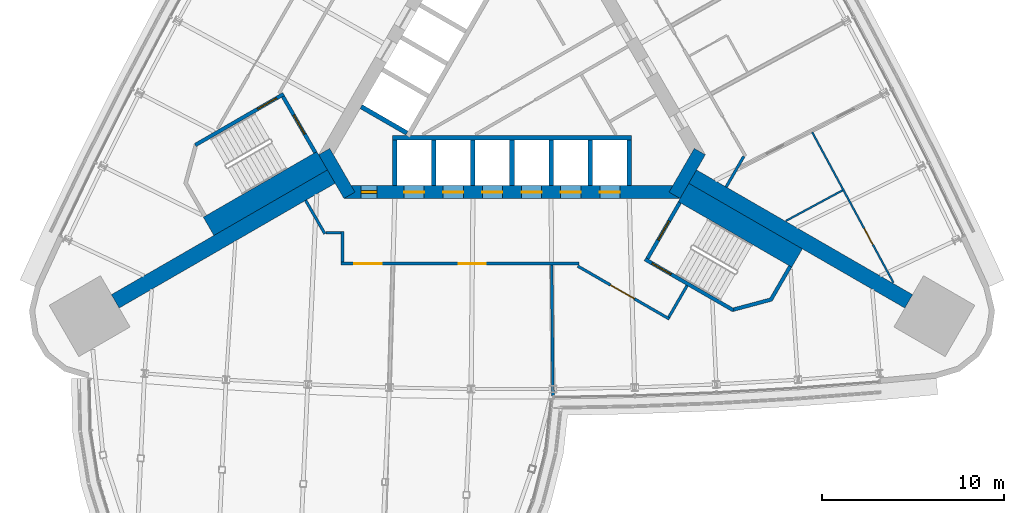
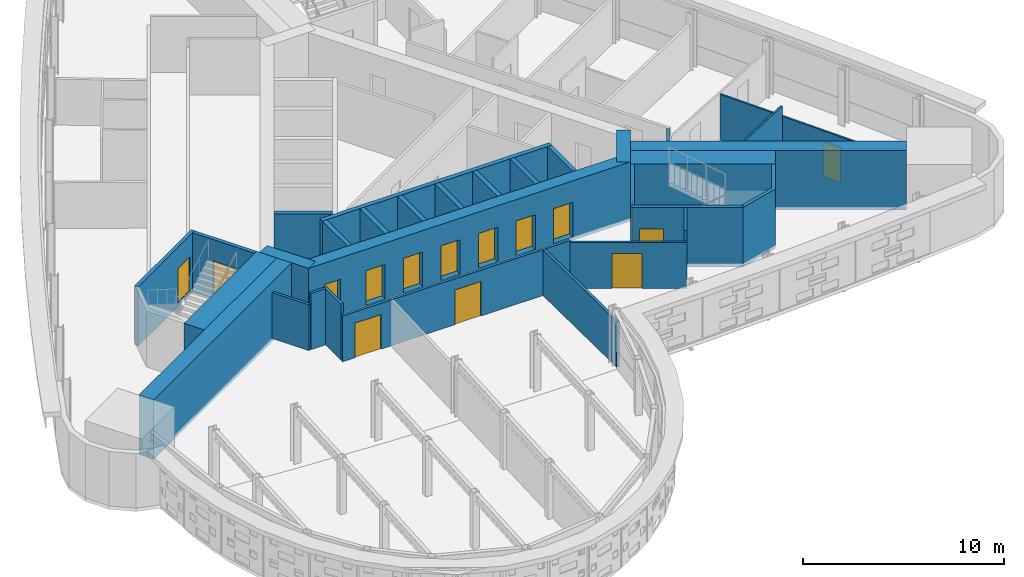
# One storey, part 10 of 16: 31 walls, 15 doors, 15 openings.
"""IFC4 building model written with IfcOpenShell, lengths in metres."""

from ifc_helpers import new_model, si_unit, direction, frame, frame_2d, origin, place, context, subcontext, project, spatial, polyline, rectangle, outline, extrude, material, layer, layer_set, type_object, element, fill, save


model = new_model("IFC4")

# Units and contexts
model_context = context("Model", 3, precision=1e-05, world=origin(), true_north=direction((0.0, 1.0)))
body_context = subcontext(model_context, "Body", "Model", "MODEL_VIEW")
ifc_project = project(units=[si_unit("LENGTHUNIT", "METRE"), si_unit("AREAUNIT", "SQUARE_METRE"), si_unit("VOLUMEUNIT", "CUBIC_METRE"), si_unit("PLANEANGLEUNIT", "RADIAN"), si_unit("MASSUNIT", "GRAM", prefix="KILO")], contexts=[model_context])

# Site, building, storey
site_placement = place(None, origin())
site = spatial("IfcSite", under=ifc_project, at=site_placement, CompositionType="ELEMENT")
building_placement = place(site_placement, origin())
building = spatial("IfcBuilding", under=site, at=building_placement, Name="Noor Cloister Tower", CompositionType="ELEMENT")
storey_placement = place(building_placement, frame((0.0, 0.0, 65.39990234375)))
storey = spatial("IfcBuildingStorey", under=building, at=storey_placement, Name="L16", CompositionType="ELEMENT", Elevation=65.39990234375)

# Walls
ifc_material_1 = material(Name="Concrete C80/95", Category="concrete")
ifc_layer_1 = layer(ifc_material_1, 0.85009765625)
ifc_layer_set_1 = layer_set([ifc_layer_1], Name="Buttress wall 850 C80/95")
wall_type_1 = type_object("IfcWallType", Name="Buttress wall 850 C80/95", PredefinedType="SHEAR", material=ifc_layer_set_1)
for number, where, z_axis, x_axis, name in (
    (1, (-9.921630859375, -5.728271484375, -0.199951171875), (0.0, 0.0, 1.0), (-0.866030067197, -0.499991922645, 0.0), "Buttress wall SW L16"),
    (2, (9.921630859375, -5.728271484375, -0.199951171875), (0.0, 0.0, 1.0), (0.866030067197, -0.499991922645, 0.0), "Buttress wall SE L16"),
):
    element("IfcWall", number, at=place(storey_placement, frame(where, z_axis=z_axis, x_axis=x_axis)), inside=storey, type_object=wall_type_1, Name=name, PredefinedType="SHEAR", context=body_context, shape_type="SweptSolid", body=[
        extrude(rectangle(XDim=13.698486328125, YDim=0.85009765625, at=frame_2d((6.84912109375, 0.0))), origin(), (0.0, 0.0, 1.0), 3.60009765625),
    ])

# Wall, openings, doors
ifc_material_2 = material(Name="Concrete C80/95", Category="concrete")
ifc_layer_2 = layer(ifc_material_2, 0.699951171875)
ifc_layer_set_2 = layer_set([ifc_layer_2], Name="Core wall 700 C80/95")
wall_type_2 = type_object("IfcWallType", Name="Core wall 700 C80/95", PredefinedType="SHEAR", material=ifc_layer_set_2)
wall_1_placement = place(storey_placement, frame((-9.228759765625, -6.578125, -0.199951171875), z_axis=(0.0, 0.0, 1.0), x_axis=(1.0, 0.0, 0.0)))
wall_1 = element("IfcWall", 3, at=wall_1_placement, inside=storey, type_object=wall_type_2, Name="Core wall L16 1", PredefinedType="SHEAR", context=body_context, shape_type="SweptSolid", body=[
    extrude(rectangle(XDim=18.45751953125, YDim=0.699951171875, at=frame_2d((9.228759765625, 0.0))), origin(), (0.0, 0.0, 1.0), 3.60009765625),
])
opening_1_placement = place(wall_1_placement, frame((3.3037109375, 0.0, 0.199951171875)))
opening_1 = element("IfcOpeningElement", 4, at=opening_1_placement, cuts=wall_1, Name="Opening L16-LR1", PredefinedType="OPENING", context=body_context, shape_type="SweptSolid", body=[
    extrude(rectangle(XDim=1.10009765625, YDim=2.10009765625, at=frame_2d((0.550048828125, 1.050048828125))), frame((0.0, 0.35986328125, 0.0), z_axis=(0.0, -1.0, 0.0), x_axis=(1.0, 0.0, 0.0)), (0.0, 0.0, 1.0), 0.719970703125),
])
opening_2_placement = place(wall_1_placement, frame((5.45361328125, 0.0, 0.199951171875)))
opening_2 = element("IfcOpeningElement", 5, at=opening_2_placement, cuts=wall_1, Name="Opening L16-LR2", PredefinedType="OPENING", context=body_context, shape_type="SweptSolid", body=[
    extrude(rectangle(XDim=1.10009765625, YDim=2.10009765625, at=frame_2d((0.550048828125, 1.050048828125))), frame((0.0, 0.35986328125, 0.0), z_axis=(0.0, -1.0, 0.0), x_axis=(1.0, 0.0, 0.0)), (0.0, 0.0, 1.0), 0.719970703125),
])
opening_3_placement = place(wall_1_placement, frame((7.603759765625, 0.0, 0.199951171875)))
opening_3 = element("IfcOpeningElement", 6, at=opening_3_placement, cuts=wall_1, Name="Opening L16-LR3", PredefinedType="OPENING", context=body_context, shape_type="SweptSolid", body=[
    extrude(rectangle(XDim=1.10009765625, YDim=2.10009765625, at=frame_2d((0.550048828125, 1.050048828125))), frame((0.0, 0.35986328125, 0.0), z_axis=(0.0, -1.0, 0.0), x_axis=(1.0, 0.0, 0.0)), (0.0, 0.0, 1.0), 0.719970703125),
])
opening_4_placement = place(wall_1_placement, frame((9.753662109375, 0.0, 0.199951171875)))
opening_4 = element("IfcOpeningElement", 7, at=opening_4_placement, cuts=wall_1, Name="Opening L16-LR4", PredefinedType="OPENING", context=body_context, shape_type="SweptSolid", body=[
    extrude(rectangle(XDim=1.10009765625, YDim=2.10009765625, at=frame_2d((0.550048828125, 1.050048828125))), frame((0.0, 0.35986328125, 0.0), z_axis=(0.0, -1.0, 0.0), x_axis=(1.0, 0.0, 0.0)), (0.0, 0.0, 1.0), 0.719970703125),
])
opening_5_placement = place(wall_1_placement, frame((11.90380859375, 0.0, 0.199951171875)))
opening_5 = element("IfcOpeningElement", 8, at=opening_5_placement, cuts=wall_1, Name="Opening L16-LR5", PredefinedType="OPENING", context=body_context, shape_type="SweptSolid", body=[
    extrude(rectangle(XDim=1.10009765625, YDim=2.10009765625, at=frame_2d((0.550048828125, 1.050048828125))), frame((0.0, 0.35986328125, 0.0), z_axis=(0.0, -1.0, 0.0), x_axis=(1.0, 0.0, 0.0)), (0.0, 0.0, 1.0), 0.719970703125),
])
opening_6_placement = place(wall_1_placement, frame((14.0537109375, 0.0, 0.199951171875)))
opening_6 = element("IfcOpeningElement", 9, at=opening_6_placement, cuts=wall_1, Name="Opening L16-LR6", PredefinedType="OPENING", context=body_context, shape_type="SweptSolid", body=[
    extrude(rectangle(XDim=1.10009765625, YDim=2.10009765625, at=frame_2d((0.550048828125, 1.050048828125))), frame((0.0, 0.35986328125, 0.0), z_axis=(0.0, -1.0, 0.0), x_axis=(1.0, 0.0, 0.0)), (0.0, 0.0, 1.0), 0.719970703125),
])
opening_7_placement = place(wall_1_placement, frame((0.92626953125, 0.0, 0.199951171875)))
opening_7 = element("IfcOpeningElement", 10, at=opening_7_placement, cuts=wall_1, Name="Opening L16-907", PredefinedType="OPENING", context=body_context, shape_type="SweptSolid", body=[
    extrude(rectangle(XDim=0.89990234375, YDim=2.10009765625, at=frame_2d((0.449951171875, 1.050048828125))), frame((0.0, 0.35986328125, 0.0), z_axis=(0.0, -1.0, 0.0), x_axis=(1.0, 0.0, 0.0)), (0.0, 0.0, 1.0), 0.719970703125),
])
ifc_material_3 = material(Name="Steel", Category="steel")
door_type_1 = type_object("IfcDoorType", Name="Core door 900 x 2100 FD60", OperationType="SINGLE_SWING_LEFT", PredefinedType="DOOR", material=ifc_material_3)
door_1_placement = place(opening_7_placement, origin())
door_1 = element("IfcDoor", 11, at=door_1_placement, inside=storey, type_object=door_type_1, Name="Core door 7 L16", OperationType="SINGLE_SWING_LEFT", OverallHeight=2.10009765625, OverallWidth=0.89990234375, PredefinedType="DOOR", context=body_context, shape_type="SweptSolid", body=[
    extrude(rectangle(XDim=0.89990234375, YDim=2.10009765625, at=frame_2d((0.449951171875, 1.050048828125))), frame((0.0, 0.074951171875, 0.0), z_axis=(0.0, -1.0, 0.0), x_axis=(1.0, 0.0, 0.0)), (0.0, 0.0, 1.0), 0.14990234375),
])
fill(opening_7, door_1)
ifc_material_4 = material(Name="Stainless steel", Category="steel")
door_type_2 = type_object("IfcDoorType", Name="Lift landing door 1100 x 2100", OperationType="DOUBLE_DOOR_SLIDING", PredefinedType="DOOR", material=ifc_material_4)
door_2_placement = place(opening_1_placement, origin())
door_2 = element("IfcDoor", 12, at=door_2_placement, inside=storey, type_object=door_type_2, Name="Landing door LR1 L16", OperationType="DOUBLE_DOOR_SLIDING", OverallHeight=2.10009765625, OverallWidth=1.10009765625, PredefinedType="DOOR", context=body_context, shape_type="SweptSolid", body=[
    extrude(rectangle(XDim=1.10009765625, YDim=2.10009765625, at=frame_2d((0.550048828125, 1.050048828125))), frame((0.0, 0.02490234375, 0.0), z_axis=(0.0, -1.0, 0.0), x_axis=(1.0, 0.0, 0.0)), (0.0, 0.0, 1.0), 0.050048828125),
])
fill(opening_1, door_2)
door_3_placement = place(opening_2_placement, origin())
door_3 = element("IfcDoor", 13, at=door_3_placement, inside=storey, type_object=door_type_2, Name="Landing door LR2 L16", OperationType="DOUBLE_DOOR_SLIDING", OverallHeight=2.10009765625, OverallWidth=1.10009765625, PredefinedType="DOOR", context=body_context, shape_type="SweptSolid", body=[
    extrude(rectangle(XDim=1.10009765625, YDim=2.10009765625, at=frame_2d((0.550048828125, 1.050048828125))), frame((0.0, 0.02490234375, 0.0), z_axis=(0.0, -1.0, 0.0), x_axis=(1.0, 0.0, 0.0)), (0.0, 0.0, 1.0), 0.050048828125),
])
fill(opening_2, door_3)
door_4_placement = place(opening_3_placement, origin())
door_4 = element("IfcDoor", 14, at=door_4_placement, inside=storey, type_object=door_type_2, Name="Landing door LR3 L16", OperationType="DOUBLE_DOOR_SLIDING", OverallHeight=2.10009765625, OverallWidth=1.10009765625, PredefinedType="DOOR", context=body_context, shape_type="SweptSolid", body=[
    extrude(rectangle(XDim=1.10009765625, YDim=2.10009765625, at=frame_2d((0.550048828125, 1.050048828125))), frame((0.0, 0.02490234375, 0.0), z_axis=(0.0, -1.0, 0.0), x_axis=(1.0, 0.0, 0.0)), (0.0, 0.0, 1.0), 0.050048828125),
])
fill(opening_3, door_4)
door_5_placement = place(opening_4_placement, origin())
door_5 = element("IfcDoor", 15, at=door_5_placement, inside=storey, type_object=door_type_2, Name="Landing door LR4 L16", OperationType="DOUBLE_DOOR_SLIDING", OverallHeight=2.10009765625, OverallWidth=1.10009765625, PredefinedType="DOOR", context=body_context, shape_type="SweptSolid", body=[
    extrude(rectangle(XDim=1.10009765625, YDim=2.10009765625, at=frame_2d((0.550048828125, 1.050048828125))), frame((0.0, 0.02490234375, 0.0), z_axis=(0.0, -1.0, 0.0), x_axis=(1.0, 0.0, 0.0)), (0.0, 0.0, 1.0), 0.050048828125),
])
fill(opening_4, door_5)
door_6_placement = place(opening_5_placement, origin())
door_6 = element("IfcDoor", 16, at=door_6_placement, inside=storey, type_object=door_type_2, Name="Landing door LR5 L16", OperationType="DOUBLE_DOOR_SLIDING", OverallHeight=2.10009765625, OverallWidth=1.10009765625, PredefinedType="DOOR", context=body_context, shape_type="SweptSolid", body=[
    extrude(rectangle(XDim=1.10009765625, YDim=2.10009765625, at=frame_2d((0.550048828125, 1.050048828125))), frame((0.0, 0.02490234375, 0.0), z_axis=(0.0, -1.0, 0.0), x_axis=(1.0, 0.0, 0.0)), (0.0, 0.0, 1.0), 0.050048828125),
])
fill(opening_5, door_6)
door_7_placement = place(opening_6_placement, origin())
door_7 = element("IfcDoor", 17, at=door_7_placement, inside=storey, type_object=door_type_2, Name="Landing door LR6 L16", OperationType="DOUBLE_DOOR_SLIDING", OverallHeight=2.10009765625, OverallWidth=1.10009765625, PredefinedType="DOOR", context=body_context, shape_type="SweptSolid", body=[
    extrude(rectangle(XDim=1.10009765625, YDim=2.10009765625, at=frame_2d((0.550048828125, 1.050048828125))), frame((0.0, 0.02490234375, 0.0), z_axis=(0.0, -1.0, 0.0), x_axis=(1.0, 0.0, 0.0)), (0.0, 0.0, 1.0), 0.050048828125),
])
fill(opening_6, door_7)

# Walls
for number, where, z_axis, x_axis, name in (
    (18, (8.925537109375, -6.753173828125, -0.199951171875), (0.0, 0.0, 1.0), (0.500042739161, 0.866000726912, 0.0), "Core wall L16 2"),
    (19, (-10.311279296875, -4.353271484375, -0.199951171875), (0.0, 0.0, 1.0), (0.500042739161, -0.866000726912, 0.0), "Core wall L16 6"),
):
    element("IfcWall", number, at=place(storey_placement, frame(where, z_axis=z_axis, x_axis=x_axis)), inside=storey, type_object=wall_type_2, Name=name, PredefinedType="SHEAR", context=body_context, shape_type="SweptSolid", body=[
        extrude(rectangle(XDim=2.771240234375, YDim=0.699951171875, at=frame_2d((1.3857421875, 0.0))), origin(), (0.0, 0.0, 1.0), 3.60009765625),
    ])

# Wall, openings, doors
ifc_material_5 = material(Name="Gypsum board partition on steel studs, 150 mm", Category="steel")
ifc_layer_3 = layer(ifc_material_5, 0.14990234375)
ifc_layer_set_3 = layer_set([ifc_layer_3], Name="Flat wall 150")
wall_type_3 = type_object("IfcWallType", Name="Flat wall 150", PredefinedType="PARTITIONING", material=ifc_layer_set_3)
wall_2_placement = place(storey_placement, frame((3.68896484375, -10.503173828125, 0.0), z_axis=(0.0, 0.0, 1.0), x_axis=(-1.0, 0.0, 0.0)))
wall_2 = element("IfcWall", 20, at=wall_2_placement, inside=storey, type_object=wall_type_3, Name="Flat wall 150 L16 004", PredefinedType="PARTITIONING", context=body_context, shape_type="SweptSolid", body=[
    extrude(rectangle(XDim=13.067626953125, YDim=0.14990234375, at=frame_2d((6.53369140625, 0.0))), origin(), (0.0, 0.0, 1.0), 2.778076171875),
])
opening_8_placement = place(wall_2_placement, frame((10.851806640625, 0.0, 0.0)))
opening_8 = element("IfcOpeningElement", 21, at=opening_8_placement, cuts=wall_2, Name="Opening L16-009", PredefinedType="OPENING", context=body_context, shape_type="SweptSolid", body=[
    extrude(rectangle(XDim=1.5, YDim=2.10009765625, at=frame_2d((0.75, 1.050048828125))), frame((0.0, 0.0849609375, 0.0), z_axis=(0.0, -1.0, 0.0), x_axis=(1.0, 0.0, 0.0)), (0.0, 0.0, 1.0), 0.169921875),
])
opening_9_placement = place(wall_2_placement, frame((5.119384765625, 0.0, 0.0)))
opening_9 = element("IfcOpeningElement", 22, at=opening_9_placement, cuts=wall_2, Name="Opening L16-010", PredefinedType="OPENING", context=body_context, shape_type="SweptSolid", body=[
    extrude(rectangle(XDim=1.5, YDim=2.10009765625, at=frame_2d((0.75, 1.050048828125))), frame((0.0, 0.0849609375, 0.0), z_axis=(0.0, -1.0, 0.0), x_axis=(1.0, 0.0, 0.0)), (0.0, 0.0, 1.0), 0.169921875),
])
ifc_material_6 = material(Name="Timber door leaf with steel frame", Category="steel")
door_type_3 = type_object("IfcDoorType", Name="Double door 1500 FD60", OperationType="NOTDEFINED", PredefinedType="DOOR", material=ifc_material_6)
door_8_placement = place(opening_8_placement, origin())
door_8 = element("IfcDoor", 23, at=door_8_placement, inside=storey, type_object=door_type_3, Name="Double door 1500 L16-009", OperationType="DOUBLE_DOOR_SINGLE_SWING", OverallHeight=2.10009765625, OverallWidth=1.5, PredefinedType="DOOR", context=body_context, shape_type="SweptSolid", body=[
    extrude(rectangle(XDim=1.5, YDim=2.10009765625, at=frame_2d((0.75, 1.050048828125))), frame((0.0, 0.02490234375, 0.0), z_axis=(0.0, -1.0, 0.0), x_axis=(1.0, 0.0, 0.0)), (0.0, 0.0, 1.0), 0.050048828125),
])
fill(opening_8, door_8)
door_9_placement = place(opening_9_placement, origin())
door_9 = element("IfcDoor", 24, at=door_9_placement, inside=storey, type_object=door_type_3, Name="Double door 1500 L16-010", OperationType="DOUBLE_DOOR_SINGLE_SWING", OverallHeight=2.10009765625, OverallWidth=1.5, PredefinedType="DOOR", context=body_context, shape_type="SweptSolid", body=[
    extrude(rectangle(XDim=1.5, YDim=2.10009765625, at=frame_2d((0.75, 1.050048828125))), frame((0.0, 0.02490234375, 0.0), z_axis=(0.0, -1.0, 0.0), x_axis=(1.0, 0.0, 0.0)), (0.0, 0.0, 1.0), 0.050048828125),
])
fill(opening_9, door_9)

# Wall, opening, door
wall_3_placement = place(storey_placement, frame((8.64111328125, -13.5458984375, 0.0), z_axis=(0.0, 0.0, 1.0), x_axis=(-0.866042728627, 0.499969991291, 0.0)))
wall_3 = element("IfcWall", 25, at=wall_3_placement, inside=storey, type_object=wall_type_3, Name="Flat wall 150 L16 005", PredefinedType="PARTITIONING", context=body_context, shape_type="SweptSolid", body=[
    extrude(rectangle(XDim=5.805419921875, YDim=0.14990234375, at=frame_2d((2.90283203125, 0.0))), origin(), (0.0, 0.0, 1.0), 2.778076171875),
])
opening_10_placement = place(wall_3_placement, frame((2.22509765625, 0.0, 0.0)))
opening_10 = element("IfcOpeningElement", 26, at=opening_10_placement, cuts=wall_3, Name="Opening L16-011", PredefinedType="OPENING", context=body_context, shape_type="SweptSolid", body=[
    extrude(rectangle(XDim=1.5, YDim=2.10009765625, at=frame_2d((0.75, 1.050048828125))), frame((0.0, 0.0849609375, 0.0), z_axis=(0.0, -1.0, 0.0), x_axis=(1.0, 0.0, 0.0)), (0.0, 0.0, 1.0), 0.169921875),
])
door_10_placement = place(opening_10_placement, origin())
door_10 = element("IfcDoor", 27, at=door_10_placement, inside=storey, type_object=door_type_3, Name="Double door 1500 L16-011", OperationType="DOUBLE_DOOR_SINGLE_SWING", OverallHeight=2.10009765625, OverallWidth=1.5, PredefinedType="DOOR", context=body_context, shape_type="SweptSolid", body=[
    extrude(rectangle(XDim=1.5, YDim=2.10009765625, at=frame_2d((0.75, 1.050048828125))), frame((0.0, 0.02490234375, 0.0), z_axis=(0.0, -1.0, 0.0), x_axis=(1.0, 0.0, 0.0)), (0.0, 0.0, 1.0), 0.050048828125),
])
fill(opening_10, door_10)

# Walls
wall_4_placement = place(storey_placement, frame((8.613525390625, -13.443603515625, 0.0), z_axis=(0.0, 0.0, 1.0), x_axis=(0.499972520799, 0.866041268327, 0.0)))
element("IfcWall", 28, at=wall_4_placement, inside=storey, type_object=wall_type_3, Name="Flat wall 150 L16 010", PredefinedType="PARTITIONING", context=body_context, shape_type="SweptSolid", body=[
    extrude(rectangle(XDim=2.0, YDim=0.14990234375, at=frame_2d((1.0, 0.0))), origin(), (0.0, 0.0, 1.0), 3.400146484375),
])
wall_5_placement = place(storey_placement, frame((-11.332763671875, -7.03369140625, 0.0), z_axis=(0.0, 0.0, 1.0), x_axis=(0.499981853705, -0.866035880299, 0.0)))
element("IfcWall", 29, at=wall_5_placement, inside=storey, type_object=wall_type_3, Name="Flat wall 150 L16 011", PredefinedType="PARTITIONING", context=body_context, shape_type="SweptSolid", body=[
    extrude(rectangle(XDim=2.1181640625, YDim=0.14990234375, at=frame_2d((1.05908203125, 0.0))), origin(), (0.0, 0.0, 1.0), 2.778076171875),
])
wall_6_placement = place(storey_placement, frame((11.7578125, -6.297607421875, 0.0), z_axis=(0.0, 0.0, 1.0), x_axis=(0.500049131089, 0.865997036079, 0.0)))
element("IfcWall", 30, at=wall_6_placement, inside=storey, type_object=wall_type_3, Name="Flat wall 150 L16 012", PredefinedType="PARTITIONING", context=body_context, shape_type="SweptSolid", body=[
    extrude(rectangle(XDim=1.940673828125, YDim=0.14990234375, at=frame_2d((0.97021484375, 0.0))), origin(), (0.0, 0.0, 1.0), 2.778076171875),
])
wall_7_placement = place(storey_placement, frame((-9.3037109375, -10.42822265625, 0.0), z_axis=(0.0, 0.0, 1.0), x_axis=(0.0, 1.0, 0.0)))
element("IfcWall", 31, at=wall_7_placement, inside=storey, type_object=wall_type_3, Name="Flat wall 150 L16 014", PredefinedType="PARTITIONING", context=body_context, shape_type="SweptSolid", body=[
    extrude(rectangle(XDim=1.699951171875, YDim=0.14990234375, at=frame_2d((0.85009765625, 0.0))), origin(), (0.0, 0.0, 1.0), 3.400146484375),
])
wall_8_placement = place(storey_placement, frame((-10.208740234375, -8.80322265625, 0.0), z_axis=(0.0, 0.0, 1.0), x_axis=(1.0, 0.0, 0.0)))
element("IfcWall", 32, at=wall_8_placement, inside=storey, type_object=wall_type_3, Name="Flat wall 150 L16 015", PredefinedType="PARTITIONING", context=body_context, shape_type="SweptSolid", body=[
    extrude(rectangle(XDim=0.830078125, YDim=0.14990234375, at=frame_2d((0.4150390625, 0.0))), origin(), (0.0, 0.0, 1.0), 3.400146484375),
])
wall_9_placement = place(storey_placement, frame((2.248291015625, -17.7841796875, 0.0), z_axis=(0.0, 0.0, 1.0), x_axis=(-0.009520796395, 0.999954676191, 0.0)))
element("IfcWall", 33, at=wall_9_placement, inside=storey, type_object=wall_type_3, Name="Flat wall 150 L16 020", PredefinedType="PARTITIONING", context=body_context, shape_type="SweptSolid", body=[
    extrude(rectangle(XDim=7.20556640625, YDim=0.14990234375, at=frame_2d((3.602783203125, 0.0))), origin(), (0.0, 0.0, 1.0), 2.778076171875),
])

# Wall, opening, door
ifc_material_7 = material(Name="Gypsum board partition on steel studs, 100 mm", Category="steel")
ifc_layer_4 = layer(ifc_material_7, 0.10009765625)
ifc_layer_set_4 = layer_set([ifc_layer_4], Name="Partition 100")
wall_type_4 = type_object("IfcWallType", Name="Partition 100", PredefinedType="PARTITIONING", material=ifc_layer_set_4)
wall_10_placement = place(storey_placement, frame((20.944091796875, -11.552001953125, 0.0), z_axis=(0.0, 0.0, 1.0), x_axis=(-0.475001956127, 0.879984739456, 0.0)))
wall_10 = element("IfcWall", 34, at=wall_10_placement, inside=storey, type_object=wall_type_4, Name="Partition 100 L16 023", PredefinedType="PARTITIONING", context=body_context, shape_type="SweptSolid", body=[
    extrude(rectangle(XDim=9.389892578125, YDim=0.10009765625, at=frame_2d((4.69482421875, 0.0))), origin(), (0.0, 0.0, 1.0), 2.778076171875),
])
opening_11_placement = place(wall_10_placement, frame((2.369873046875, 0.0, 0.0)))
opening_11 = element("IfcOpeningElement", 35, at=opening_11_placement, cuts=wall_10, Name="Opening L16-014", PredefinedType="OPENING", context=body_context, shape_type="SweptSolid", body=[
    extrude(rectangle(XDim=1.0, YDim=2.10009765625, at=frame_2d((0.5, 1.050048828125))), frame((0.0, 0.06005859375, 0.0), z_axis=(0.0, -1.0, 0.0), x_axis=(1.0, 0.0, 0.0)), (0.0, 0.0, 1.0), 0.1201171875),
])
ifc_material_8 = material(Name="Timber door leaf with steel frame", Category="steel")
door_type_4 = type_object("IfcDoorType", Name="Interior door 1000", OperationType="NOTDEFINED", PredefinedType="DOOR", material=ifc_material_8)
door_11_placement = place(opening_11_placement, origin())
door_11 = element("IfcDoor", 36, at=door_11_placement, inside=storey, type_object=door_type_4, Name="Interior door 1000 L16-014", OperationType="SINGLE_SWING_LEFT", OverallHeight=2.10009765625, OverallWidth=1.0, PredefinedType="DOOR", context=body_context, shape_type="SweptSolid", body=[
    extrude(rectangle(XDim=1.0, YDim=2.10009765625, at=frame_2d((0.5, 1.050048828125))), frame((0.0, 0.02490234375, 0.0), z_axis=(0.0, -1.0, 0.0), x_axis=(1.0, 0.0, 0.0)), (0.0, 0.0, 1.0), 0.050048828125),
])
fill(opening_11, door_11)

# Walls
wall_11_placement = place(storey_placement, frame((18.14990234375, -6.480712890625, 0.0), z_axis=(0.0, 0.0, 1.0), x_axis=(-0.879976377599, -0.475017446909, 0.0)))
element("IfcWall", 37, at=wall_11_placement, inside=storey, type_object=wall_type_4, Name="Partition 100 L16 028", PredefinedType="PARTITIONING", context=body_context, shape_type="SweptSolid", body=[
    extrude(rectangle(XDim=3.537109375, YDim=0.10009765625, at=frame_2d((1.7685546875, 0.0))), origin(), (0.0, 0.0, 1.0), 3.400146484375),
])
ifc_material_9 = material(Name="Concrete C80/95", Category="concrete")
ifc_layer_5 = layer(ifc_material_9, 0.25)
ifc_layer_set_5 = layer_set([ifc_layer_5], Name="Shaft wall 250 C80/95")
wall_type_5 = type_object("IfcWallType", Name="Shaft wall 250 C80/95", PredefinedType="PARTITIONING", material=ifc_layer_set_5)
for number, where, z_axis, x_axis, name in (
    (38, (-6.449951171875, -6.228271484375, -0.199951171875), (0.0, 0.0, 1.0), (0.0, 1.0, 0.0), "Lift shaft wall L16 S 1"),
    (39, (-4.300048828125, -6.228271484375, -0.199951171875), (0.0, 0.0, 1.0), (0.0, 1.0, 0.0), "Lift shaft wall L16 S 2"),
    (40, (-2.14990234375, -6.228271484375, -0.199951171875), (0.0, 0.0, 1.0), (0.0, 1.0, 0.0), "Lift shaft wall L16 S 3"),
    (41, (0.0, -6.228271484375, -0.199951171875), (0.0, 0.0, 1.0), (0.0, 1.0, 0.0), "Lift shaft wall L16 S 4"),
    (42, (2.14990234375, -6.228271484375, -0.199951171875), (0.0, 0.0, 1.0), (0.0, 1.0, 0.0), "Lift shaft wall L16 S 5"),
    (43, (4.300048828125, -6.228271484375, -0.199951171875), (0.0, 0.0, 1.0), (0.0, 1.0, 0.0), "Lift shaft wall L16 S 6"),
    (44, (6.449951171875, -6.228271484375, -0.199951171875), (0.0, 0.0, 1.0), (0.0, 1.0, 0.0), "Lift shaft wall L16 S 7"),
):
    element("IfcWall", number, at=place(storey_placement, frame(where, z_axis=z_axis, x_axis=x_axis)), inside=storey, type_object=wall_type_5, Name=name, PredefinedType="PARTITIONING", context=body_context, shape_type="SweptSolid", body=[
        extrude(rectangle(XDim=2.5, YDim=0.25, at=frame_2d((1.25, 0.0))), origin(), (0.0, 0.0, 1.0), 3.60009765625),
    ])
wall_12_placement = place(storey_placement, frame((-6.574951171875, -3.603271484375, 0.0), z_axis=(0.0, 0.0, 1.0), x_axis=(1.0, 0.0, 0.0)))
element("IfcWall", 45, at=wall_12_placement, inside=storey, type_object=wall_type_5, Name="Lift shaft back wall L16 S", PredefinedType="PARTITIONING", context=body_context, shape_type="SweptSolid", body=[
    extrude(rectangle(XDim=13.14990234375, YDim=0.25, at=frame_2d((6.574951171875, 0.0))), origin(), (0.0, 0.0, 1.0), 3.400146484375),
])
wall_13_placement = place(storey_placement, frame((-8.28125, -1.88720703125, -0.199951171875), z_axis=(0.0, 0.0, 1.0), x_axis=(0.866032775405, -0.499987231761, 0.0)))
element("IfcWall", 46, at=wall_13_placement, inside=storey, type_object=wall_type_5, Name="Lift shaft wall L16 NW 6", PredefinedType="PARTITIONING", context=body_context, shape_type="SweptSolid", body=[
    extrude(rectangle(XDim=2.89990234375, YDim=0.25, at=frame_2d((1.449951171875, 0.0))), origin(), (0.0, 0.0, 1.0), 3.60009765625),
])
ifc_material_10 = material(Name="Concrete C80/95", Category="concrete")
ifc_layer_6 = layer(ifc_material_10, 1.160888671875)
ifc_layer_set_6 = layer_set([ifc_layer_6], Name="Stair enclosure wall 1161 C80/95")
wall_type_6 = type_object("IfcWallType", Name="Stair enclosure wall 1161 C80/95", PredefinedType="SHEAR", material=ifc_layer_set_6)
for number, where, z_axis, x_axis, name in (
    (47, (-10.42431640625, -4.857666015625, -0.199951171875), (0.0, 0.0, 1.0), (-0.866033125095, -0.499986626058, 0.0), "Stair enclosure wall ST2 L16 riser side"),
    (48, (9.4189453125, -6.598876953125, -0.199951171875), (0.0, 0.0, 1.0), (0.866033125095, -0.499986626058, 0.0), "Stair enclosure wall ST3 L16 riser side"),
):
    element("IfcWall", number, at=place(storey_placement, frame(where, z_axis=z_axis, x_axis=x_axis)), inside=storey, type_object=wall_type_6, Name=name, PredefinedType="SHEAR", context=body_context, shape_type="SweptSolid", body=[
        extrude(rectangle(XDim=7.199951171875, YDim=1.16064453125, at=frame_2d((3.60009765625, 0.0))), origin(), (0.0, 0.0, 1.0), 3.60009765625),
    ])

# Wall, opening, door
ifc_material_11 = material(Name="Concrete C80/95", Category="concrete")
ifc_layer_7 = layer(ifc_material_11, 0.199951171875)
ifc_layer_set_7 = layer_set([ifc_layer_7], Name="Stair enclosure wall 200 C80/95")
wall_type_7 = type_object("IfcWallType", Name="Stair enclosure wall 200 C80/95", PredefinedType="SHEAR", material=ifc_layer_set_7)
wall_14_placement = place(storey_placement, frame((-12.575927734375, -1.33056640625, -0.199951171875), z_axis=(0.0, 0.0, 1.0), x_axis=(0.499970499736, -0.8660424351, 0.0)))
wall_14 = element("IfcWall", 49, at=wall_14_placement, inside=storey, type_object=wall_type_7, Name="Stair enclosure wall ST2 L16 near end", PredefinedType="SHEAR", context=body_context, shape_type="SweptSolid", body=[
    extrude(rectangle(XDim=3.550048828125, YDim=0.199951171875, at=frame_2d((1.77490234375, 0.0))), origin(), (0.0, 0.0, 1.0), 3.60009765625),
])
opening_12_placement = place(wall_14_placement, frame((1.175048828125, 0.0, 0.199951171875)))
opening_12 = element("IfcOpeningElement", 50, at=opening_12_placement, cuts=wall_14, Name="Opening L16-ST2L", PredefinedType="OPENING", context=body_context, shape_type="SweptSolid", body=[
    extrude(rectangle(XDim=1.199951171875, YDim=2.10009765625, at=frame_2d((0.60009765625, 1.050048828125))), frame((0.0, 0.10986328125, 0.0), z_axis=(0.0, -1.0, 0.0), x_axis=(1.0, 0.0, 0.0)), (0.0, 0.0, 1.0), 0.219970703125),
])
ifc_material_12 = material(Name="Steel", Category="steel")
door_type_5 = type_object("IfcDoorType", Name="Stair door 1200 x 2100 FD120", OperationType="SINGLE_SWING_LEFT", PredefinedType="DOOR", material=ifc_material_12)
door_12_placement = place(opening_12_placement, origin())
door_12 = element("IfcDoor", 51, at=door_12_placement, inside=storey, type_object=door_type_5, Name="Stair door ST2 L16", OperationType="SINGLE_SWING_RIGHT", OverallHeight=2.10009765625, OverallWidth=1.199951171875, PredefinedType="DOOR", context=body_context, shape_type="SweptSolid", body=[
    extrude(rectangle(XDim=1.199951171875, YDim=2.10009765625, at=frame_2d((0.60009765625, 1.050048828125))), frame((0.0, 0.02490234375, 0.0), z_axis=(0.0, -1.0, 0.0), x_axis=(1.0, 0.0, 0.0)), (0.0, 0.0, 1.0), 0.050048828125),
])
fill(opening_12, door_12)

wall_15_placement = place(storey_placement, frame((-12.539306640625, -1.194091796875, -0.199951171875), z_axis=(0.0, 0.0, 1.0), x_axis=(-0.866045472092, -0.499965239061, 0.0)))
wall_15 = element("IfcWall", 52, at=wall_15_placement, inside=storey, type_object=wall_type_7, Name="Stair enclosure wall ST2 L16 outer side", PredefinedType="SHEAR", context=body_context, shape_type="SweptSolid", body=[
    extrude(rectangle(XDim=5.60009765625, YDim=0.199951171875, at=frame_2d((2.800048828125, 0.0))), origin(), (0.0, 0.0, 1.0), 3.60009765625),
])
opening_13_placement = place(wall_15_placement, frame((0.449951171875, 0.0, 0.199951171875)))
opening_13 = element("IfcOpeningElement", 53, at=opening_13_placement, cuts=wall_15, Name="Opening L16-ST2C", PredefinedType="OPENING", context=body_context, shape_type="SweptSolid", body=[
    extrude(rectangle(XDim=1.199951171875, YDim=2.10009765625, at=frame_2d((0.60009765625, 1.050048828125))), frame((0.0, 0.10986328125, 0.0), z_axis=(0.0, -1.0, 0.0), x_axis=(1.0, 0.0, 0.0)), (0.0, 0.0, 1.0), 0.219970703125),
])
door_13_placement = place(opening_13_placement, origin())
door_13 = element("IfcDoor", 54, at=door_13_placement, inside=storey, type_object=door_type_5, Name="Stair door ST2 L16", OperationType="SINGLE_SWING_LEFT", OverallHeight=2.10009765625, OverallWidth=1.199951171875, PredefinedType="DOOR", context=body_context, shape_type="SweptSolid", body=[
    extrude(rectangle(XDim=1.199951171875, YDim=2.10009765625, at=frame_2d((0.60009765625, 1.050048828125))), frame((0.0, 0.02490234375, 0.0), z_axis=(0.0, -1.0, 0.0), x_axis=(1.0, 0.0, 0.0)), (0.0, 0.0, 1.0), 0.050048828125),
])
fill(opening_13, door_13)

wall_16_placement = place(storey_placement, frame((7.440185546875, -10.225830078125, -0.199951171875), z_axis=(0.0, 0.0, 1.0), x_axis=(0.500022077904, 0.866012656725, 0.0)))
wall_16 = element("IfcWall", 55, at=wall_16_placement, inside=storey, type_object=wall_type_7, Name="Stair enclosure wall ST3 L16 near end", PredefinedType="SHEAR", context=body_context, shape_type="SweptSolid", body=[
    extrude(rectangle(XDim=3.550048828125, YDim=0.199951171875, at=frame_2d((1.77490234375, 0.0))), origin(), (0.0, 0.0, 1.0), 3.60009765625),
])
opening_14_placement = place(wall_16_placement, frame((1.175048828125, 0.0, 0.199951171875)))
opening_14 = element("IfcOpeningElement", 56, at=opening_14_placement, cuts=wall_16, Name="Opening L16-ST3L", PredefinedType="OPENING", context=body_context, shape_type="SweptSolid", body=[
    extrude(rectangle(XDim=1.199951171875, YDim=2.10009765625, at=frame_2d((0.60009765625, 1.050048828125))), frame((0.0, 0.10986328125, 0.0), z_axis=(0.0, -1.0, 0.0), x_axis=(1.0, 0.0, 0.0)), (0.0, 0.0, 1.0), 0.219970703125),
])
door_14_placement = place(opening_14_placement, origin())
door_14 = element("IfcDoor", 57, at=door_14_placement, inside=storey, type_object=door_type_5, Name="Stair door ST3 L16", OperationType="SINGLE_SWING_RIGHT", OverallHeight=2.10009765625, OverallWidth=1.199951171875, PredefinedType="DOOR", context=body_context, shape_type="SweptSolid", body=[
    extrude(rectangle(XDim=1.199951171875, YDim=2.10009765625, at=frame_2d((0.60009765625, 1.050048828125))), frame((0.0, 0.02490234375, 0.0), z_axis=(0.0, -1.0, 0.0), x_axis=(1.0, 0.0, 0.0)), (0.0, 0.0, 1.0), 0.050048828125),
])
fill(opening_14, door_14)

wall_17_placement = place(storey_placement, frame((7.3037109375, -10.262451171875, -0.199951171875), z_axis=(0.0, 0.0, 1.0), x_axis=(0.866026594901, -0.49999793692, 0.0)))
wall_17 = element("IfcWall", 58, at=wall_17_placement, inside=storey, type_object=wall_type_7, Name="Stair enclosure wall ST3 L16 outer side", PredefinedType="SHEAR", context=body_context, shape_type="SweptSolid", body=[
    extrude(rectangle(XDim=5.60009765625, YDim=0.199951171875, at=frame_2d((2.800048828125, 0.0))), origin(), (0.0, 0.0, 1.0), 3.60009765625),
])
opening_15_placement = place(wall_17_placement, frame((0.449951171875, 0.0, 0.199951171875)))
opening_15 = element("IfcOpeningElement", 59, at=opening_15_placement, cuts=wall_17, Name="Opening L16-ST3C", PredefinedType="OPENING", context=body_context, shape_type="SweptSolid", body=[
    extrude(rectangle(XDim=1.199951171875, YDim=2.10009765625, at=frame_2d((0.60009765625, 1.050048828125))), frame((0.0, 0.10986328125, 0.0), z_axis=(0.0, -1.0, 0.0), x_axis=(1.0, 0.0, 0.0)), (0.0, 0.0, 1.0), 0.219970703125),
])
door_15_placement = place(opening_15_placement, origin())
door_15 = element("IfcDoor", 60, at=door_15_placement, inside=storey, type_object=door_type_5, Name="Stair door ST3 L16", OperationType="SINGLE_SWING_LEFT", OverallHeight=2.10009765625, OverallWidth=1.199951171875, PredefinedType="DOOR", context=body_context, shape_type="SweptSolid", body=[
    extrude(rectangle(XDim=1.199951171875, YDim=2.10009765625, at=frame_2d((0.60009765625, 1.050048828125))), frame((0.0, 0.02490234375, 0.0), z_axis=(0.0, -1.0, 0.0), x_axis=(1.0, 0.0, 0.0)), (0.0, 0.0, 1.0), 0.050048828125),
])
fill(opening_15, door_15)

# Wall
ifc_material_13 = material(Name="Concrete C80/95", Category="concrete")
wall_type_8 = type_object("IfcWallType", Name="Stair far end wall C80/95", PredefinedType="SHEAR", material=ifc_material_13)
wall_18_placement = place(storey_placement, frame((0.0, 0.0, -0.199951171875)))
element("IfcWall", 61, at=wall_18_placement, inside=storey, type_object=wall_type_8, Name="Stair enclosure wall ST3 L16 far end", PredefinedType="SHEAR", context=body_context, shape_type="SweptSolid", body=[
    extrude(outline(polyline([(12.103515625, -13.14892578125), (14.2890625, -12.5634765625), (15.364013671875, -10.701416015625), (15.19091796875, -10.601318359375), (14.1572265625, -12.3916015625), (12.131591796875, -12.934326171875), (12.20361328125, -12.975830078125), (12.20361328125, -12.975830078125), (12.20361328125, -12.975830078125), (12.20361328125, -12.975830078125), (12.20361328125, -12.975830078125), (12.20361328125, -12.975830078125), (12.20361328125, -12.975830078125), (12.20361328125, -12.975830078125), (12.20361328125, -12.975830078125), (12.20361328125, -12.975830078125), (12.20361328125, -12.975830078125), (12.20361328125, -12.975830078125), (12.20361328125, -12.975830078125), (12.20361328125, -12.975830078125), (12.20361328125, -12.975830078125), (12.20361328125, -12.975830078125), (12.20361328125, -12.975830078125), (12.103515625, -13.14892578125)])), origin(), (0.0, 0.0, 1.0), 3.60009765625),
])

save(model, "model.ifc")
